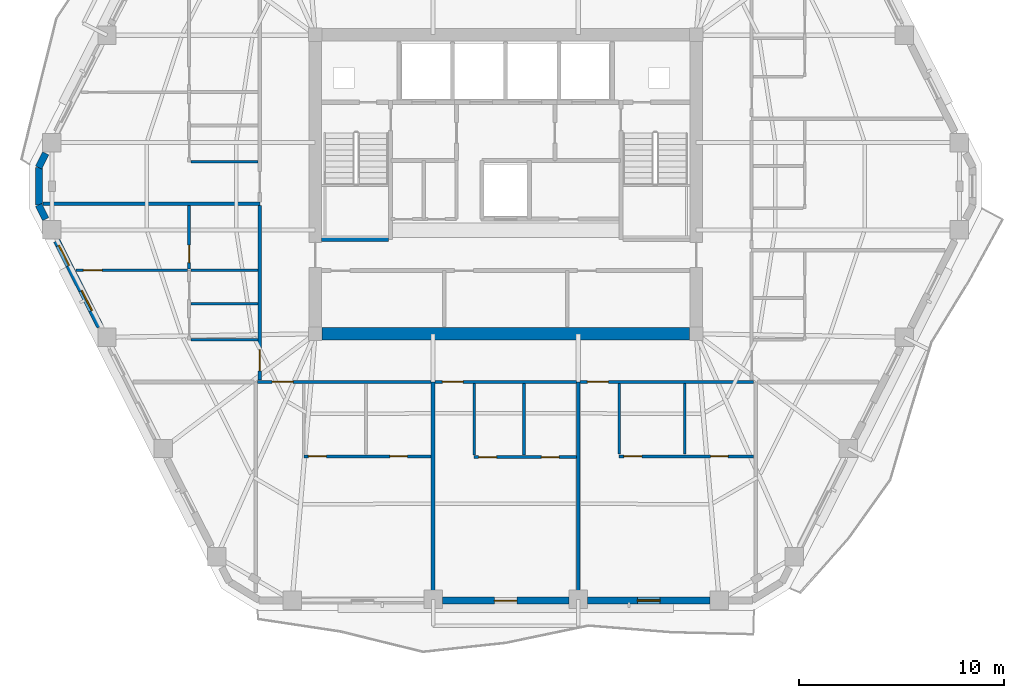
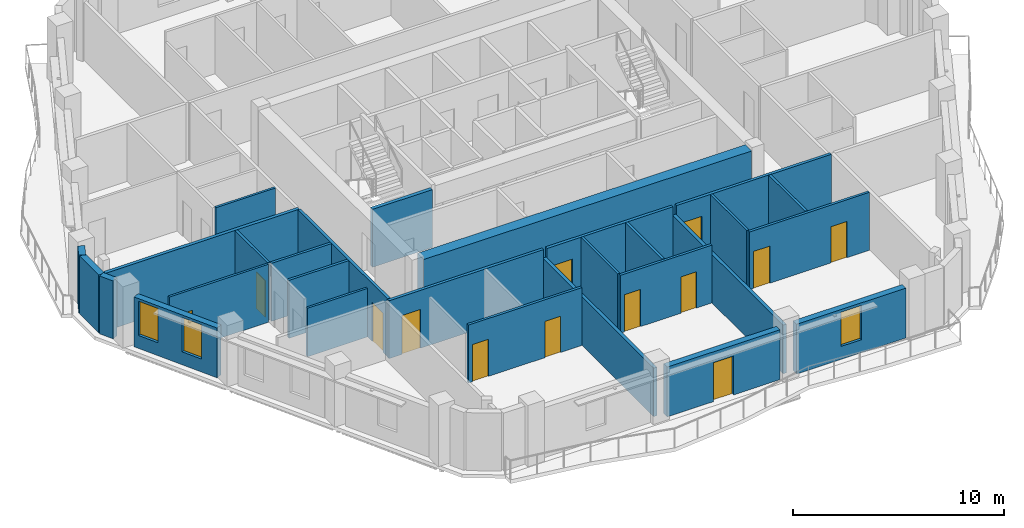
# One storey, part 4 of 12: 28 walls, 13 doors, 3 windows, 16 openings.
"""IFC4 building model written with IfcOpenShell, lengths in metres."""

from ifc_helpers import new_model, si_unit, direction, frame, frame_2d, origin, place, context, subcontext, project, spatial, rectangle, extrude, material, layer, layer_set, type_object, element, fill, save


model = new_model("IFC4")

# Units and contexts
model_context = context("Model", 3, precision=1e-05, world=origin(), true_north=direction((0.0, 1.0)))
body_context = subcontext(model_context, "Body", "Model", "MODEL_VIEW")
ifc_project = project(units=[si_unit("LENGTHUNIT", "METRE"), si_unit("AREAUNIT", "SQUARE_METRE"), si_unit("VOLUMEUNIT", "CUBIC_METRE"), si_unit("PLANEANGLEUNIT", "RADIAN"), si_unit("MASSUNIT", "GRAM", prefix="KILO")], contexts=[model_context])

# Site, building, storey
site_placement = place(None, origin())
site = spatial("IfcSite", under=ifc_project, at=site_placement, CompositionType="ELEMENT")
building_placement = place(site_placement, origin())
building = spatial("IfcBuilding", under=site, at=building_placement, Name="Cinnabar Lancet Tower", CompositionType="ELEMENT")
storey_placement = place(building_placement, frame((0.0, 0.0, 186.10009765625)))
storey = spatial("IfcBuildingStorey", under=building, at=storey_placement, Name="L49", CompositionType="ELEMENT", Elevation=186.10009765625)

# Wall, opening, door
ifc_material_1 = material(Name="Acoustic twin-stud gypsum partition", Category="gypsum")
ifc_layer_1 = layer(ifc_material_1, 0.159912109375)
ifc_layer_set_1 = layer_set([ifc_layer_1], Name="Acoustic twin-stud gypsum partition")
wall_type_1 = type_object("IfcWallType", Name="ARC-WL-CORR-160", PredefinedType="PARTITIONING", material=ifc_layer_set_1)
wall_1_placement = place(storey_placement, frame((20.294921875, 16.25, 0.0), z_axis=(0.0, 0.0, 1.0), x_axis=(1.0, 0.0, 0.0)))
wall_1 = element("IfcWall", 1, at=wall_1_placement, inside=storey, type_object=wall_type_1, Name="L49 Unit S01 Corridor Wall", PredefinedType="PARTITIONING", context=body_context, shape_type="SweptSolid", body=[
    extrude(rectangle(XDim=8.467041015625, YDim=0.159912109375, at=frame_2d((4.2333984375, 0.0))), origin(), (0.0, 0.0, 1.0), 3.349853515625),
])
opening_1_placement = place(wall_1_placement, frame((0.705078125, 0.0, 0.0)))
opening_1 = element("IfcOpeningElement", 2, at=opening_1_placement, cuts=wall_1, Name="Opening UD-01", PredefinedType="OPENING", context=body_context, shape_type="SweptSolid", body=[
    extrude(rectangle(XDim=1.02001953125, YDim=2.25, at=frame_2d((0.510009765625, 1.125))), frame((0.0, 0.08984375, 0.0), z_axis=(0.0, -1.0, 0.0), x_axis=(1.0, 0.0, 0.0)), (0.0, 0.0, 1.0), 0.179931640625),
])
ifc_material_2 = material(Name="Solid timber fire-rated apartment entrance door", Category="wood")
door_type_1 = type_object("IfcDoorType", Name="ARC-DR-UNIT", OperationType="NOTDEFINED", PredefinedType="DOOR", material=ifc_material_2)
door_1_placement = place(opening_1_placement, origin())
door_1 = element("IfcDoor", 3, at=door_1_placement, inside=storey, type_object=door_type_1, Name="DR-L49-S01-ENT", OperationType="SINGLE_SWING_LEFT", OverallHeight=2.25, OverallWidth=1.02001953125, PredefinedType="DOOR", context=body_context, shape_type="SweptSolid", body=[
    extrude(rectangle(XDim=1.02001953125, YDim=2.25, at=frame_2d((0.510009765625, 1.125))), frame((0.0, 0.02490234375, 0.0), z_axis=(0.0, -1.0, 0.0), x_axis=(1.0, 0.0, 0.0)), (0.0, 0.0, 1.0), 0.050048828125),
])
fill(opening_1, door_1)

wall_2_placement = place(storey_placement, frame((28.951904296875, 16.25, 0.0), z_axis=(0.0, 0.0, 1.0), x_axis=(1.0, 0.0, 0.0)))
wall_2 = element("IfcWall", 4, at=wall_2_placement, inside=storey, type_object=wall_type_1, Name="L49 Unit S02 Corridor Wall", PredefinedType="PARTITIONING", context=body_context, shape_type="SweptSolid", body=[
    extrude(rectangle(XDim=6.89599609375, YDim=0.159912109375, at=frame_2d((3.447998046875, 0.0))), origin(), (0.0, 0.0, 1.0), 3.349853515625),
])
opening_2_placement = place(wall_2_placement, frame((0.35498046875, 0.0, 0.0)))
opening_2 = element("IfcOpeningElement", 5, at=opening_2_placement, cuts=wall_2, Name="Opening UD-01", PredefinedType="OPENING", context=body_context, shape_type="SweptSolid", body=[
    extrude(rectangle(XDim=1.02001953125, YDim=2.25, at=frame_2d((0.510009765625, 1.125))), frame((0.0, 0.08984375, 0.0), z_axis=(0.0, -1.0, 0.0), x_axis=(1.0, 0.0, 0.0)), (0.0, 0.0, 1.0), 0.179931640625),
])
door_2_placement = place(opening_2_placement, origin())
door_2 = element("IfcDoor", 6, at=door_2_placement, inside=storey, type_object=door_type_1, Name="DR-L49-S02-ENT", OperationType="SINGLE_SWING_RIGHT", OverallHeight=2.25, OverallWidth=1.02001953125, PredefinedType="DOOR", context=body_context, shape_type="SweptSolid", body=[
    extrude(rectangle(XDim=1.02001953125, YDim=2.25, at=frame_2d((0.510009765625, 1.125))), frame((0.0, 0.02490234375, 0.0), z_axis=(0.0, -1.0, 0.0), x_axis=(1.0, 0.0, 0.0)), (0.0, 0.0, 1.0), 0.050048828125),
])
fill(opening_2, door_2)

wall_3_placement = place(storey_placement, frame((36.0380859375, 16.25, 0.0), z_axis=(0.0, 0.0, 1.0), x_axis=(1.0, 0.0, 0.0)))
wall_3 = element("IfcWall", 7, at=wall_3_placement, inside=storey, type_object=wall_type_1, Name="L49 Unit S03 Corridor Wall", PredefinedType="PARTITIONING", context=body_context, shape_type="SweptSolid", body=[
    extrude(rectangle(XDim=8.466796875, YDim=0.159912109375, at=frame_2d((4.2333984375, 0.0))), origin(), (0.0, 0.0, 1.0), 3.349853515625),
])
opening_3_placement = place(wall_3_placement, frame((0.35498046875, 0.0, 0.0)))
opening_3 = element("IfcOpeningElement", 8, at=opening_3_placement, cuts=wall_3, Name="Opening UD-01", PredefinedType="OPENING", context=body_context, shape_type="SweptSolid", body=[
    extrude(rectangle(XDim=1.02001953125, YDim=2.25, at=frame_2d((0.510009765625, 1.125))), frame((0.0, 0.08984375, 0.0), z_axis=(0.0, -1.0, 0.0), x_axis=(1.0, 0.0, 0.0)), (0.0, 0.0, 1.0), 0.179931640625),
])
door_3_placement = place(opening_3_placement, origin())
door_3 = element("IfcDoor", 9, at=door_3_placement, inside=storey, type_object=door_type_1, Name="DR-L49-S03-ENT", OperationType="SINGLE_SWING_LEFT", OverallHeight=2.25, OverallWidth=1.02001953125, PredefinedType="DOOR", context=body_context, shape_type="SweptSolid", body=[
    extrude(rectangle(XDim=1.02001953125, YDim=2.25, at=frame_2d((0.510009765625, 1.125))), frame((0.0, 0.02490234375, 0.0), z_axis=(0.0, -1.0, 0.0), x_axis=(1.0, 0.0, 0.0)), (0.0, 0.0, 1.0), 0.050048828125),
])
fill(opening_3, door_3)

wall_4_placement = place(storey_placement, frame((20.39990234375, 16.344970703125, 0.0), z_axis=(0.0, 0.0, 1.0), x_axis=(0.0, 1.0, 0.0)))
wall_4 = element("IfcWall", 10, at=wall_4_placement, inside=storey, type_object=wall_type_1, Name="UW-L49-W01-COR", PredefinedType="PARTITIONING", context=body_context, shape_type="SweptSolid", body=[
    extrude(rectangle(XDim=8.504150390625, YDim=0.159912109375, at=frame_2d((4.251953125, 0.0))), origin(), (0.0, 0.0, 1.0), 3.349853515625),
])
opening_4_placement = place(wall_4_placement, frame((0.449951171875, 0.0, 0.0)))
opening_4 = element("IfcOpeningElement", 11, at=opening_4_placement, cuts=wall_4, Name="Opening UD-01", PredefinedType="OPENING", context=body_context, shape_type="SweptSolid", body=[
    extrude(rectangle(XDim=1.02001953125, YDim=2.25, at=frame_2d((0.510009765625, 1.125))), frame((0.0, 0.08984375, 0.0), z_axis=(0.0, -1.0, 0.0), x_axis=(1.0, 0.0, 0.0)), (0.0, 0.0, 1.0), 0.179931640625),
])
door_4_placement = place(opening_4_placement, origin())
door_4 = element("IfcDoor", 12, at=door_4_placement, inside=storey, type_object=door_type_1, Name="DR-L49-W01-ENT", OperationType="SINGLE_SWING_LEFT", OverallHeight=2.25, OverallWidth=1.02001953125, PredefinedType="DOOR", context=body_context, shape_type="SweptSolid", body=[
    extrude(rectangle(XDim=1.02001953125, YDim=2.25, at=frame_2d((0.510009765625, 1.125))), frame((0.0, 0.02490234375, 0.0), z_axis=(0.0, -1.0, 0.0), x_axis=(1.0, 0.0, 0.0)), (0.0, 0.0, 1.0), 0.050048828125),
])
fill(opening_4, door_4)

# Walls
ifc_material_3 = material(Name="Fire-rated twin-frame acoustic drywall", Category="gypsum")
ifc_layer_2 = layer(ifc_material_3, 0.179931640625)
ifc_layer_set_2 = layer_set([ifc_layer_2], Name="Fire-rated twin-frame acoustic drywall")
wall_type_2 = type_object("IfcWallType", Name="ARC-WL-PARTY-180", PredefinedType="PARTITIONING", material=ifc_layer_set_2)
for number, where, z_axis, x_axis, name in (
    (13, (28.85693359375, 5.7548828125, 0.0), (0.0, 0.0, 1.0), (0.0, 1.0, 0.0), "PW-L49-SPTY-289"),
    (14, (35.943115234375, 5.7548828125, 0.0), (0.0, 0.0, 1.0), (0.0, 1.0, 0.0), "PW-L49-SPTY-359"),
):
    element("IfcWall", number, at=place(storey_placement, frame(where, z_axis=z_axis, x_axis=x_axis)), inside=storey, type_object=wall_type_2, Name=name, PredefinedType="PARTITIONING", context=body_context, shape_type="SweptSolid", body=[
        extrude(rectangle(XDim=10.4951171875, YDim=0.179931640625, at=frame_2d((5.24755859375, 0.0))), origin(), (0.0, 0.0, 1.0), 2.806884765625),
    ])
wall_5_placement = place(storey_placement, frame((9.81298828125, 24.944091796875, 0.0), z_axis=(0.0, 0.0, 1.0), x_axis=(1.0, 0.0, 0.0)))
element("IfcWall", 15, at=wall_5_placement, inside=storey, type_object=wall_type_2, Name="PW-L49-WPTY-1", PredefinedType="PARTITIONING", context=body_context, shape_type="SweptSolid", body=[
    extrude(rectangle(XDim=10.5869140625, YDim=0.179931640625, at=frame_2d((5.29345703125, 0.0))), origin(), (0.0, 0.0, 1.0), 3.349853515625),
])
ifc_material_4 = material(Name="Autoclaved aerated concrete blockwork", Category="masonry")
ifc_layer_3 = layer(ifc_material_4, 0.199951171875)
ifc_layer_set_3 = layer_set([ifc_layer_3], Name="Autoclaved aerated concrete blockwork")
wall_type_3 = type_object("IfcWallType", Name="ARC-WL-SHAFT-200", PredefinedType="PLUMBINGWALL", material=ifc_layer_set_3)
wall_6_placement = place(storey_placement, frame((23.405029296875, 23.199951171875, 0.0), z_axis=(0.0, 0.0, 1.0), x_axis=(1.0, 0.0, 0.0)))
element("IfcWall", 16, at=wall_6_placement, inside=storey, type_object=wall_type_3, Name="CW-ST1S-L49", PredefinedType="PLUMBINGWALL", context=body_context, shape_type="SweptSolid", body=[
    extrude(rectangle(XDim=3.27001953125, YDim=0.199951171875, at=frame_2d((1.635009765625, 0.0))), origin(), (0.0, 0.0, 1.0), 3.349853515625),
])
ifc_material_5 = material(Name="Gypsum plasterboard stud partition", Category="gypsum")
ifc_layer_4 = layer(ifc_material_5, 0.125)
ifc_layer_set_4 = layer_set([ifc_layer_4], Name="Gypsum plasterboard stud partition")
wall_type_4 = type_object("IfcWallType", Name="ARC-WL-UNIT-125", PredefinedType="PARTITIONING", material=ifc_layer_set_4)
wall_7_placement = place(storey_placement, frame((30.85693359375, 12.681884765625, 0.0), z_axis=(0.0, 0.0, 1.0), x_axis=(0.0, 1.0, 0.0)))
element("IfcWall", 17, at=wall_7_placement, inside=storey, type_object=wall_type_4, Name="UW-L49-S02-FOYE", PredefinedType="PARTITIONING", context=body_context, shape_type="SweptSolid", body=[
    extrude(rectangle(XDim=3.483154296875, YDim=0.125, at=frame_2d((1.74169921875, 0.0))), origin(), (0.0, 0.0, 1.0), 3.349853515625),
])
wall_8_placement = place(storey_placement, frame((37.943115234375, 12.72412109375, 0.0), z_axis=(0.0, 0.0, 1.0), x_axis=(0.0, 1.0, 0.0)))
element("IfcWall", 18, at=wall_8_placement, inside=storey, type_object=wall_type_4, Name="UW-L49-S03-FOYE", PredefinedType="PARTITIONING", context=body_context, shape_type="SweptSolid", body=[
    extrude(rectangle(XDim=3.44091796875, YDim=0.125, at=frame_2d((1.720458984375, 0.0))), origin(), (0.0, 0.0, 1.0), 3.349853515625),
])
wall_9_placement = place(storey_placement, frame((17.034912109375, 18.300048828125, 0.0), z_axis=(0.0, 0.0, 1.0), x_axis=(1.0, 0.0, 0.0)))
element("IfcWall", 19, at=wall_9_placement, inside=storey, type_object=wall_type_4, Name="UW-L49-W01-FOYN", PredefinedType="PARTITIONING", context=body_context, shape_type="SweptSolid", body=[
    extrude(rectangle(XDim=3.280029296875, YDim=0.125, at=frame_2d((1.64013671875, 0.0))), origin(), (0.0, 0.0, 1.0), 2.806884765625),
])

# Wall, opening, door
wall_10_placement = place(storey_placement, frame((11.43798828125, 21.699951171875, 0.0), z_axis=(0.0, 0.0, 1.0), x_axis=(1.0, 0.0, 0.0)))
wall_10 = element("IfcWall", 20, at=wall_10_placement, inside=storey, type_object=wall_type_4, Name="UW-L49-W01-MBN", PredefinedType="PARTITIONING", context=body_context, shape_type="SweptSolid", body=[
    extrude(rectangle(XDim=5.43701171875, YDim=0.125, at=frame_2d((2.718505859375, 0.0))), origin(), (0.0, 0.0, 1.0), 3.349853515625),
])
opening_5_placement = place(wall_10_placement, frame((0.35009765625, 0.0, 0.0)))
opening_5 = element("IfcOpeningElement", 21, at=opening_5_placement, cuts=wall_10, Name="Opening RD-01", PredefinedType="OPENING", context=body_context, shape_type="SweptSolid", body=[
    extrude(rectangle(XDim=0.919921875, YDim=2.14990234375, at=frame_2d((0.4599609375, 1.074951171875))), frame((0.0, 0.072509765625, 0.0), z_axis=(0.0, -1.0, 0.0), x_axis=(1.0, 0.0, 0.0)), (0.0, 0.0, 1.0), 0.14501953125),
])
ifc_material_6 = material(Name="Engineered timber bedroom door", Category="wood")
door_type_2 = type_object("IfcDoorType", Name="ARC-DR-ROOM", OperationType="NOTDEFINED", PredefinedType="DOOR", material=ifc_material_6)
door_5_placement = place(opening_5_placement, origin())
door_5 = element("IfcDoor", 22, at=door_5_placement, inside=storey, type_object=door_type_2, Name="DR-L49-W01-MBD", OperationType="SINGLE_SWING_LEFT", OverallHeight=2.14990234375, OverallWidth=0.919921875, PredefinedType="DOOR", context=body_context, shape_type="SweptSolid", body=[
    extrude(rectangle(XDim=0.919921875, YDim=2.14990234375, at=frame_2d((0.4599609375, 1.074951171875))), frame((0.0, 0.02490234375, 0.0), z_axis=(0.0, -1.0, 0.0), x_axis=(1.0, 0.0, 0.0)), (0.0, 0.0, 1.0), 0.050048828125),
])
fill(opening_5, door_5)

# Wall
wall_11_placement = place(storey_placement, frame((17.034912109375, 26.993896484375, 0.0), z_axis=(0.0, 0.0, 1.0), x_axis=(1.0, 0.0, 0.0)))
element("IfcWall", 23, at=wall_11_placement, inside=storey, type_object=wall_type_4, Name="UW-L49-W02-FOYN", PredefinedType="PARTITIONING", context=body_context, shape_type="SweptSolid", body=[
    extrude(rectangle(XDim=3.280029296875, YDim=0.125, at=frame_2d((1.64013671875, 0.0))), origin(), (0.0, 0.0, 1.0), 3.349853515625),
])

# Wall, openings, doors
ifc_material_7 = material(Name="Moisture-resistant cement-board plumbing wall", Category="masonry")
ifc_layer_5 = layer(ifc_material_7, 0.139892578125)
ifc_layer_set_5 = layer_set([ifc_layer_5], Name="Moisture-resistant cement-board plumbing wall")
wall_type_5 = type_object("IfcWallType", Name="ARC-WL-WET-140", PredefinedType="PLUMBINGWALL", material=ifc_layer_set_5)
wall_12_placement = place(storey_placement, frame((22.550048828125, 12.618896484375, 0.0), z_axis=(0.0, 0.0, 1.0), x_axis=(1.0, 0.0, 0.0)))
wall_12 = element("IfcWall", 24, at=wall_12_placement, inside=storey, type_object=wall_type_5, Name="UW-L49-S01-SPL", PredefinedType="PLUMBINGWALL", context=body_context, shape_type="SweptSolid", body=[
    extrude(rectangle(XDim=6.2119140625, YDim=0.139892578125, at=frame_2d((3.10595703125, 0.0))), origin(), (0.0, 0.0, 1.0), 3.349853515625),
])
opening_6_placement = place(wall_12_placement, frame((4.195068359375, 0.0, 0.0)))
opening_6 = element("IfcOpeningElement", 25, at=opening_6_placement, cuts=wall_12, Name="Opening BD-01", PredefinedType="OPENING", context=body_context, shape_type="SweptSolid", body=[
    extrude(rectangle(XDim=0.860107421875, YDim=2.10009765625, at=frame_2d((0.43017578125, 1.050048828125))), frame((0.0, 0.079833984375, 0.0), z_axis=(0.0, -1.0, 0.0), x_axis=(1.0, 0.0, 0.0)), (0.0, 0.0, 1.0), 0.159912109375),
])
opening_7_placement = place(wall_12_placement, frame((0.219970703125, 0.0, 0.0)))
opening_7 = element("IfcOpeningElement", 26, at=opening_7_placement, cuts=wall_12, Name="Opening RD-02", PredefinedType="OPENING", context=body_context, shape_type="SweptSolid", body=[
    extrude(rectangle(XDim=0.8798828125, YDim=2.14990234375, at=frame_2d((0.43994140625, 1.074951171875))), frame((0.0, 0.079833984375, 0.0), z_axis=(0.0, -1.0, 0.0), x_axis=(1.0, 0.0, 0.0)), (0.0, 0.0, 1.0), 0.159912109375),
])
ifc_material_8 = material(Name="Moisture-resistant timber bathroom door", Category="wood")
door_type_3 = type_object("IfcDoorType", Name="ARC-DR-BATH", OperationType="NOTDEFINED", PredefinedType="DOOR", material=ifc_material_8)
door_6_placement = place(opening_6_placement, origin())
door_6 = element("IfcDoor", 27, at=door_6_placement, inside=storey, type_object=door_type_3, Name="DR-L49-S01-BTH", OperationType="SINGLE_SWING_LEFT", OverallHeight=2.10009765625, OverallWidth=0.860107421875, PredefinedType="DOOR", context=body_context, shape_type="SweptSolid", body=[
    extrude(rectangle(XDim=0.860107421875, YDim=2.10009765625, at=frame_2d((0.43017578125, 1.050048828125))), frame((0.0, 0.02490234375, 0.0), z_axis=(0.0, -1.0, 0.0), x_axis=(1.0, 0.0, 0.0)), (0.0, 0.0, 1.0), 0.050048828125),
])
fill(opening_6, door_6)
ifc_material_9 = material(Name="Engineered timber study door", Category="wood")
door_type_4 = type_object("IfcDoorType", Name="ARC-DR-STUDY", OperationType="NOTDEFINED", PredefinedType="DOOR", material=ifc_material_9)
door_7_placement = place(opening_7_placement, origin())
door_7 = element("IfcDoor", 28, at=door_7_placement, inside=storey, type_object=door_type_4, Name="DR-L49-S01-KIT", OperationType="SINGLE_SWING_RIGHT", OverallHeight=2.14990234375, OverallWidth=0.8798828125, PredefinedType="DOOR", context=body_context, shape_type="SweptSolid", body=[
    extrude(rectangle(XDim=0.8798828125, YDim=2.14990234375, at=frame_2d((0.43994140625, 1.074951171875))), frame((0.0, 0.02490234375, 0.0), z_axis=(0.0, -1.0, 0.0), x_axis=(1.0, 0.0, 0.0)), (0.0, 0.0, 1.0), 0.050048828125),
])
fill(opening_7, door_7)

wall_13_placement = place(storey_placement, frame((30.85693359375, 12.576904296875, 0.0), z_axis=(0.0, 0.0, 1.0), x_axis=(1.0, 0.0, 0.0)))
wall_13 = element("IfcWall", 29, at=wall_13_placement, inside=storey, type_object=wall_type_5, Name="UW-L49-S02-SPL", PredefinedType="PLUMBINGWALL", context=body_context, shape_type="SweptSolid", body=[
    extrude(rectangle(XDim=4.990966796875, YDim=0.139892578125, at=frame_2d((2.49560546875, 0.0))), origin(), (0.0, 0.0, 1.0), 3.349853515625),
])
opening_8_placement = place(wall_13_placement, frame((3.291015625, 0.0, 0.0)))
opening_8 = element("IfcOpeningElement", 30, at=opening_8_placement, cuts=wall_13, Name="Opening BD-01", PredefinedType="OPENING", context=body_context, shape_type="SweptSolid", body=[
    extrude(rectangle(XDim=0.860107421875, YDim=2.10009765625, at=frame_2d((0.43017578125, 1.050048828125))), frame((0.0, 0.079833984375, 0.0), z_axis=(0.0, -1.0, 0.0), x_axis=(1.0, 0.0, 0.0)), (0.0, 0.0, 1.0), 0.159912109375),
])
opening_9_placement = place(wall_13_placement, frame((0.219970703125, 0.0, 0.0)))
opening_9 = element("IfcOpeningElement", 31, at=opening_9_placement, cuts=wall_13, Name="Opening RD-02", PredefinedType="OPENING", context=body_context, shape_type="SweptSolid", body=[
    extrude(rectangle(XDim=0.8798828125, YDim=2.14990234375, at=frame_2d((0.43994140625, 1.074951171875))), frame((0.0, 0.079833984375, 0.0), z_axis=(0.0, -1.0, 0.0), x_axis=(1.0, 0.0, 0.0)), (0.0, 0.0, 1.0), 0.159912109375),
])
door_8_placement = place(opening_8_placement, origin())
door_8 = element("IfcDoor", 32, at=door_8_placement, inside=storey, type_object=door_type_3, Name="DR-L49-S02-BTH", OperationType="SINGLE_SWING_RIGHT", OverallHeight=2.10009765625, OverallWidth=0.860107421875, PredefinedType="DOOR", context=body_context, shape_type="SweptSolid", body=[
    extrude(rectangle(XDim=0.860107421875, YDim=2.10009765625, at=frame_2d((0.43017578125, 1.050048828125))), frame((0.0, 0.02490234375, 0.0), z_axis=(0.0, -1.0, 0.0), x_axis=(1.0, 0.0, 0.0)), (0.0, 0.0, 1.0), 0.050048828125),
])
fill(opening_8, door_8)
door_9_placement = place(opening_9_placement, origin())
door_9 = element("IfcDoor", 33, at=door_9_placement, inside=storey, type_object=door_type_4, Name="DR-L49-S02-KIT", OperationType="SINGLE_SWING_LEFT", OverallHeight=2.14990234375, OverallWidth=0.8798828125, PredefinedType="DOOR", context=body_context, shape_type="SweptSolid", body=[
    extrude(rectangle(XDim=0.8798828125, YDim=2.14990234375, at=frame_2d((0.43994140625, 1.074951171875))), frame((0.0, 0.02490234375, 0.0), z_axis=(0.0, -1.0, 0.0), x_axis=(1.0, 0.0, 0.0)), (0.0, 0.0, 1.0), 0.050048828125),
])
fill(opening_9, door_9)

# Wall
wall_14_placement = place(storey_placement, frame((33.298095703125, 12.681884765625, 0.0), z_axis=(0.0, 0.0, 1.0), x_axis=(0.0, 1.0, 0.0)))
element("IfcWall", 34, at=wall_14_placement, inside=storey, type_object=wall_type_5, Name="UW-L49-S02-KDV", PredefinedType="PLUMBINGWALL", context=body_context, shape_type="SweptSolid", body=[
    extrude(rectangle(XDim=3.483154296875, YDim=0.139892578125, at=frame_2d((1.74169921875, 0.0))), origin(), (0.0, 0.0, 1.0), 3.349853515625),
])

# Wall, openings, doors
wall_15_placement = place(storey_placement, frame((37.943115234375, 12.618896484375, 0.0), z_axis=(0.0, 0.0, 1.0), x_axis=(1.0, 0.0, 0.0)))
wall_15 = element("IfcWall", 35, at=wall_15_placement, inside=storey, type_object=wall_type_5, Name="UW-L49-S03-SPL", PredefinedType="PLUMBINGWALL", context=body_context, shape_type="SweptSolid", body=[
    extrude(rectangle(XDim=6.561767578125, YDim=0.139892578125, at=frame_2d((3.28076171875, 0.0))), origin(), (0.0, 0.0, 1.0), 3.349853515625),
])
opening_10_placement = place(wall_15_placement, frame((4.4541015625, 0.0, 0.0)))
opening_10 = element("IfcOpeningElement", 36, at=opening_10_placement, cuts=wall_15, Name="Opening BD-01", PredefinedType="OPENING", context=body_context, shape_type="SweptSolid", body=[
    extrude(rectangle(XDim=0.860107421875, YDim=2.10009765625, at=frame_2d((0.43017578125, 1.050048828125))), frame((0.0, 0.079833984375, 0.0), z_axis=(0.0, -1.0, 0.0), x_axis=(1.0, 0.0, 0.0)), (0.0, 0.0, 1.0), 0.159912109375),
])
opening_11_placement = place(wall_15_placement, frame((0.219970703125, 0.0, 0.0)))
opening_11 = element("IfcOpeningElement", 37, at=opening_11_placement, cuts=wall_15, Name="Opening RD-02", PredefinedType="OPENING", context=body_context, shape_type="SweptSolid", body=[
    extrude(rectangle(XDim=0.8798828125, YDim=2.14990234375, at=frame_2d((0.43994140625, 1.074951171875))), frame((0.0, 0.079833984375, 0.0), z_axis=(0.0, -1.0, 0.0), x_axis=(1.0, 0.0, 0.0)), (0.0, 0.0, 1.0), 0.159912109375),
])
door_10_placement = place(opening_10_placement, origin())
door_10 = element("IfcDoor", 38, at=door_10_placement, inside=storey, type_object=door_type_3, Name="DR-L49-S03-BTH", OperationType="SINGLE_SWING_LEFT", OverallHeight=2.10009765625, OverallWidth=0.860107421875, PredefinedType="DOOR", context=body_context, shape_type="SweptSolid", body=[
    extrude(rectangle(XDim=0.860107421875, YDim=2.10009765625, at=frame_2d((0.43017578125, 1.050048828125))), frame((0.0, 0.02490234375, 0.0), z_axis=(0.0, -1.0, 0.0), x_axis=(1.0, 0.0, 0.0)), (0.0, 0.0, 1.0), 0.050048828125),
])
fill(opening_10, door_10)
door_11_placement = place(opening_11_placement, origin())
door_11 = element("IfcDoor", 39, at=door_11_placement, inside=storey, type_object=door_type_4, Name="DR-L49-S03-KIT", OperationType="SINGLE_SWING_RIGHT", OverallHeight=2.14990234375, OverallWidth=0.8798828125, PredefinedType="DOOR", context=body_context, shape_type="SweptSolid", body=[
    extrude(rectangle(XDim=0.8798828125, YDim=2.14990234375, at=frame_2d((0.43994140625, 1.074951171875))), frame((0.0, 0.02490234375, 0.0), z_axis=(0.0, -1.0, 0.0), x_axis=(1.0, 0.0, 0.0)), (0.0, 0.0, 1.0), 0.050048828125),
])
fill(opening_11, door_11)

# Wall
wall_16_placement = place(storey_placement, frame((41.137939453125, 12.72412109375, 0.0), z_axis=(0.0, 0.0, 1.0), x_axis=(0.0, 1.0, 0.0)))
element("IfcWall", 40, at=wall_16_placement, inside=storey, type_object=wall_type_5, Name="UW-L49-S03-KDV", PredefinedType="PLUMBINGWALL", context=body_context, shape_type="SweptSolid", body=[
    extrude(rectangle(XDim=3.44091796875, YDim=0.139892578125, at=frame_2d((1.720458984375, 0.0))), origin(), (0.0, 0.0, 1.0), 3.349853515625),
])

# Wall, opening, door
wall_17_placement = place(storey_placement, frame((16.949951171875, 21.77001953125, 0.0), z_axis=(0.0, 0.0, 1.0), x_axis=(0.0, 1.0, 0.0)))
wall_17 = element("IfcWall", 41, at=wall_17_placement, inside=storey, type_object=wall_type_5, Name="UW-L49-W01-SPM", PredefinedType="PLUMBINGWALL", context=body_context, shape_type="SweptSolid", body=[
    extrude(rectangle(XDim=3.0791015625, YDim=0.139892578125, at=frame_2d((1.53955078125, 0.0))), origin(), (0.0, 0.0, 1.0), 3.349853515625),
])
opening_12_placement = place(wall_17_placement, frame((0.300048828125, 0.0, 0.0)))
opening_12 = element("IfcOpeningElement", 42, at=opening_12_placement, cuts=wall_17, Name="Opening BD-01", PredefinedType="OPENING", context=body_context, shape_type="SweptSolid", body=[
    extrude(rectangle(XDim=0.860107421875, YDim=2.10009765625, at=frame_2d((0.43017578125, 1.050048828125))), frame((0.0, 0.079833984375, 0.0), z_axis=(0.0, -1.0, 0.0), x_axis=(1.0, 0.0, 0.0)), (0.0, 0.0, 1.0), 0.159912109375),
])
door_12_placement = place(opening_12_placement, origin())
door_12 = element("IfcDoor", 43, at=door_12_placement, inside=storey, type_object=door_type_3, Name="DR-L49-W01-ENS", OperationType="SINGLE_SWING_LEFT", OverallHeight=2.10009765625, OverallWidth=0.860107421875, PredefinedType="DOOR", context=body_context, shape_type="SweptSolid", body=[
    extrude(rectangle(XDim=0.860107421875, YDim=2.10009765625, at=frame_2d((0.43017578125, 1.050048828125))), frame((0.0, 0.02490234375, 0.0), z_axis=(0.0, -1.0, 0.0), x_axis=(1.0, 0.0, 0.0)), (0.0, 0.0, 1.0), 0.050048828125),
])
fill(opening_12, door_12)

# Walls
for number, where, z_axis, x_axis, name in (
    (44, (17.034912109375, 21.699951171875, 0.0), (0.0, 0.0, 1.0), (1.0, 0.0, 0.0), "UW-L49-W01-ENSN"),
    (45, (17.034912109375, 20.068115234375, 0.0), (0.0, 0.0, 1.0), (1.0, 0.0, 0.0), "UW-L49-W01-KDV"),
):
    element("IfcWall", number, at=place(storey_placement, frame(where, z_axis=z_axis, x_axis=x_axis)), inside=storey, type_object=wall_type_5, Name=name, PredefinedType="PLUMBINGWALL", context=body_context, shape_type="SweptSolid", body=[
        extrude(rectangle(XDim=3.280029296875, YDim=0.139892578125, at=frame_2d((1.64013671875, 0.0))), origin(), (0.0, 0.0, 1.0), 3.349853515625),
    ])
ifc_material_10 = material(Name="Cinnabar red clay brick", Category="masonry")
ifc_layer_6 = layer(ifc_material_10, 0.340087890625)
ifc_layer_set_6 = layer_set([ifc_layer_6], Name="Cinnabar red clay brick")
wall_type_6 = type_object("IfcWallType", Name="ENV-WL-BRK-RED-340", PredefinedType="STANDARD", material=ifc_layer_set_6)
wall_18_placement = place(storey_placement, frame((9.6220703125, 26.7080078125, 0.0), z_axis=(0.0, 0.0, 1.0), x_axis=(0.0, -1.0, 0.0)))
element("IfcWall", 46, at=wall_18_placement, inside=storey, type_object=wall_type_6, Name="L49 Chamfered Corner Brick Pier 6.1", PredefinedType="STANDARD", context=body_context, shape_type="SweptSolid", body=[
    extrude(rectangle(XDim=1.81591796875, YDim=0.340087890625, at=frame_2d((0.907958984375, 0.0))), origin(), (0.0, 0.0, 1.0), 3.349853515625),
])

# Wall, opening, door
wall_19_placement = place(storey_placement, frame((29.31103515625, 5.580078125, 0.0), z_axis=(0.0, 0.0, 1.0), x_axis=(1.0, 0.0, 0.0)))
wall_19 = element("IfcWall", 47, at=wall_19_placement, inside=storey, type_object=wall_type_6, Name="L49 Face 1 Masonry Bay Wall 3", PredefinedType="STANDARD", context=body_context, shape_type="SweptSolid", body=[
    extrude(rectangle(XDim=6.177978515625, YDim=0.340087890625, at=frame_2d((3.0888671875, 0.0))), origin(), (0.0, 0.0, 1.0), 2.8828125),
])
opening_13_placement = place(wall_19_placement, frame((2.5390625, 0.0, 0.0)))
opening_13 = element("IfcOpeningElement", 48, at=opening_13_placement, cuts=wall_19, Name="Opening TD-01", PredefinedType="OPENING", context=body_context, shape_type="SweptSolid", body=[
    extrude(rectangle(XDim=1.10009765625, YDim=2.25, at=frame_2d((0.550048828125, 1.125))), frame((0.0, 0.179931640625, 0.0), z_axis=(0.0, -1.0, 0.0), x_axis=(1.0, 0.0, 0.0)), (0.0, 0.0, 1.0), 0.360107421875),
])
ifc_material_11 = material(Name="Thermally broken low-E glazed balcony terrace door", Category="wood")
door_type_5 = type_object("IfcDoorType", Name="ARC-DR-BALC", OperationType="NOTDEFINED", PredefinedType="DOOR", material=ifc_material_11)
door_13_placement = place(opening_13_placement, origin())
door_13 = element("IfcDoor", 49, at=door_13_placement, inside=storey, type_object=door_type_5, Name="L49 Face 1 Glazed Terrace Door", OperationType="SINGLE_SWING_LEFT", OverallHeight=2.25, OverallWidth=1.10009765625, PredefinedType="DOOR", context=body_context, shape_type="SweptSolid", body=[
    extrude(rectangle(XDim=1.10009765625, YDim=2.25, at=frame_2d((0.550048828125, 1.125))), frame((0.0, 0.02490234375, 0.0), z_axis=(0.0, -1.0, 0.0), x_axis=(1.0, 0.0, 0.0)), (0.0, 0.0, 1.0), 0.050048828125),
])
fill(opening_13, door_13)

# Wall, opening, window
wall_20_placement = place(storey_placement, frame((36.39697265625, 5.580078125, 0.0), z_axis=(0.0, 0.0, 1.0), x_axis=(1.0, 0.0, 0.0)))
wall_20 = element("IfcWall", 50, at=wall_20_placement, inside=storey, type_object=wall_type_6, Name="L49 Face 1 Masonry Bay Wall 4", PredefinedType="STANDARD", context=body_context, shape_type="SweptSolid", body=[
    extrude(rectangle(XDim=5.969970703125, YDim=0.340087890625, at=frame_2d((2.98486328125, 0.0))), origin(), (0.0, 0.0, 1.0), 2.8828125),
])
opening_14_placement = place(wall_20_placement, frame((2.43505859375, 0.0, 0.75)))
opening_14 = element("IfcOpeningElement", 51, at=opening_14_placement, cuts=wall_20, Name="Opening WN-04", PredefinedType="OPENING", context=body_context, shape_type="SweptSolid", body=[
    extrude(rectangle(XDim=1.10009765625, YDim=1.98291015625, at=frame_2d((0.550048828125, 0.991455078125))), frame((0.0, 0.179931640625, 0.0), z_axis=(0.0, -1.0, 0.0), x_axis=(1.0, 0.0, 0.0)), (0.0, 0.0, 1.0), 0.360107421875),
])
ifc_material_12 = material(Name="Thermally broken bronze-anodized aluminium tall lancet window", Category="aluminium")
window_type = type_object("IfcWindowType", Name="ENV-WN-LANCET-1100", PartitioningType="SINGLE_PANEL", PredefinedType="WINDOW", material=ifc_material_12)
window_1_placement = place(opening_14_placement, origin())
window_1 = element("IfcWindow", 52, at=window_1_placement, inside=storey, type_object=window_type, Name="L49 Face 1 Gothic Lancet Window 4", OverallHeight=1.98291015625, OverallWidth=1.10009765625, PartitioningType="SINGLE_PANEL", PredefinedType="WINDOW", context=body_context, shape_type="SweptSolid", body=[
    extrude(rectangle(XDim=1.10009765625, YDim=1.98291015625, at=frame_2d((0.550048828125, 0.991455078125))), frame((0.0, 0.030029296875, 0.0), z_axis=(0.0, -1.0, 0.0), x_axis=(1.0, 0.0, 0.0)), (0.0, 0.0, 1.0), 0.06005859375),
])
fill(opening_14, window_1)

# Walls
for number, where, z_axis, x_axis, name in (
    (53, (9.948974609375, 27.403076171875, 0.0), (0.0, 0.0, 1.0), (-0.451262448184, -0.892391283496, 0.0), "L49 Face 5 Masonry Bay Wall 5"),
    (54, (9.60107421875, 24.885009765625, 0.0), (0.0, 0.0, 1.0), (0.451262448184, -0.892391283496, 0.0), "L49 Face 6 Masonry Bay Wall 1"),
):
    element("IfcWall", number, at=place(storey_placement, frame(where, z_axis=z_axis, x_axis=x_axis)), inside=storey, type_object=wall_type_6, Name=name, PredefinedType="STANDARD", context=body_context, shape_type="SweptSolid", body=[
        extrude(rectangle(XDim=0.77099609375, YDim=0.340087890625, at=frame_2d((0.385498046875, 0.0))), origin(), (0.0, 0.0, 1.0), 3.349853515625),
    ])

# Wall, openings, windows
wall_21_placement = place(storey_placement, frame((10.485107421875, 23.136962890625, 0.0), z_axis=(0.0, 0.0, 1.0), x_axis=(0.451447222193, -0.892297823361, 0.0)))
wall_21 = element("IfcWall", 55, at=wall_21_placement, inside=storey, type_object=wall_type_6, Name="L49 Face 6 Masonry Bay Wall 2", PredefinedType="STANDARD", context=body_context, shape_type="SweptSolid", body=[
    extrude(rectangle(XDim=4.699951171875, YDim=0.340087890625, at=frame_2d((2.35009765625, 0.0))), origin(), (0.0, 0.0, 1.0), 2.8828125),
])
opening_15_placement = place(wall_21_placement, frame((0.24609375, 0.0, 0.75)))
opening_15 = element("IfcOpeningElement", 56, at=opening_15_placement, cuts=wall_21, Name="Opening WN-04", PredefinedType="OPENING", context=body_context, shape_type="SweptSolid", body=[
    extrude(rectangle(XDim=1.10009765625, YDim=1.98291015625, at=frame_2d((0.550048828125, 0.991455078125))), frame((0.0, 0.179931640625, 0.0), z_axis=(0.0, -1.0, 0.0), x_axis=(1.0, 0.0, 0.0)), (0.0, 0.0, 1.0), 0.360107421875),
])
opening_16_placement = place(wall_21_placement, frame((2.716064453125, 0.0, 0.75)))
opening_16 = element("IfcOpeningElement", 57, at=opening_16_placement, cuts=wall_21, Name="Opening WN-04", PredefinedType="OPENING", context=body_context, shape_type="SweptSolid", body=[
    extrude(rectangle(XDim=1.10009765625, YDim=1.98291015625, at=frame_2d((0.550048828125, 0.991455078125))), frame((0.0, 0.179931640625, 0.0), z_axis=(0.0, -1.0, 0.0), x_axis=(1.0, 0.0, 0.0)), (0.0, 0.0, 1.0), 0.360107421875),
])
window_2_placement = place(opening_15_placement, origin())
window_2 = element("IfcWindow", 58, at=window_2_placement, inside=storey, type_object=window_type, Name="L49 Face 6 Gothic Lancet Window 2", OverallHeight=1.98291015625, OverallWidth=1.10009765625, PartitioningType="SINGLE_PANEL", PredefinedType="WINDOW", context=body_context, shape_type="SweptSolid", body=[
    extrude(rectangle(XDim=1.10009765625, YDim=1.98291015625, at=frame_2d((0.550048828125, 0.991455078125))), frame((0.0, 0.030029296875, 0.0), z_axis=(0.0, -1.0, 0.0), x_axis=(1.0, 0.0, 0.0)), (0.0, 0.0, 1.0), 0.06005859375),
])
fill(opening_15, window_2)
window_3_placement = place(opening_16_placement, origin())
window_3 = element("IfcWindow", 59, at=window_3_placement, inside=storey, type_object=window_type, Name="L49 Split-Bay Gothic Lancet Window 158", OverallHeight=1.98291015625, OverallWidth=1.10009765625, PartitioningType="SINGLE_PANEL", PredefinedType="WINDOW", context=body_context, shape_type="SweptSolid", body=[
    extrude(rectangle(XDim=1.10009765625, YDim=1.98291015625, at=frame_2d((0.550048828125, 0.991455078125))), frame((0.0, 0.030029296875, 0.0), z_axis=(0.0, -1.0, 0.0), x_axis=(1.0, 0.0, 0.0)), (0.0, 0.0, 1.0), 0.06005859375),
])
fill(opening_16, window_3)

# Wall
ifc_material_13 = material(Name="Concrete C60/75", Category="concrete")
ifc_layer_7 = layer(ifc_material_13, 0.60009765625)
ifc_layer_set_7 = layer_set([ifc_layer_7], Name="Concrete C60/75")
wall_type_7 = type_object("IfcWallType", Name="STR-WL-CORE-600", PredefinedType="SHEAR", material=ifc_layer_set_7)
wall_22_placement = place(storey_placement, frame((23.425048828125, 18.60009765625, 0.0), z_axis=(0.0, 0.0, 1.0), x_axis=(1.0, 0.0, 0.0)))
element("IfcWall", 60, at=wall_22_placement, inside=storey, type_object=wall_type_7, Name="L49 Core Shear Wall S", PredefinedType="SHEAR", context=body_context, shape_type="SweptSolid", body=[
    extrude(rectangle(XDim=17.949951171875, YDim=0.60009765625, at=frame_2d((8.97509765625, 0.0))), origin(), (0.0, 0.0, 1.0), 3.349853515625),
])

save(model, "model.ifc")
